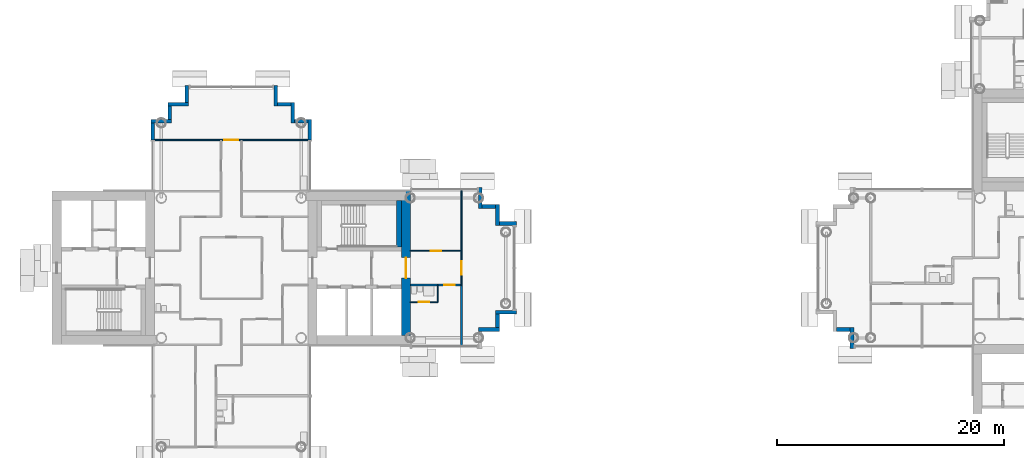
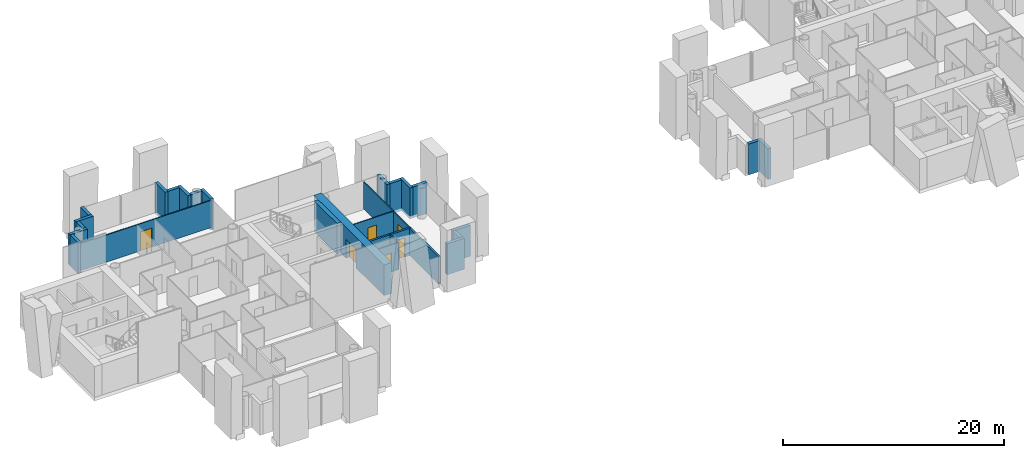
# One storey, part 8 of 18: 28 walls, 6 doors, 6 openings.
"""IFC4 building model written with IfcOpenShell, lengths in metres."""

from ifc_helpers import new_model, si_unit, direction, frame, frame_2d, origin, place, context, subcontext, project, spatial, rectangle, extrude, material, layer, layer_set, type_object, element, fill, save


model = new_model("IFC4")

# Units and contexts
model_context = context("Model", 3, precision=1e-05, world=origin(), true_north=direction((0.0, 1.0)))
body_context = subcontext(model_context, "Body", "Model", "MODEL_VIEW")
ifc_project = project(units=[si_unit("LENGTHUNIT", "METRE"), si_unit("AREAUNIT", "SQUARE_METRE"), si_unit("VOLUMEUNIT", "CUBIC_METRE"), si_unit("PLANEANGLEUNIT", "RADIAN"), si_unit("MASSUNIT", "GRAM", prefix="KILO")], contexts=[model_context])

# Site, building, storey
site_placement = place(None, origin())
site = spatial("IfcSite", under=ifc_project, at=site_placement, CompositionType="ELEMENT")
building_placement = place(site_placement, origin())
building = spatial("IfcBuilding", under=site, at=building_placement, Name="Ipe Terrace Towers", CompositionType="ELEMENT")
storey_placement = place(building_placement, frame((0.0, 0.0, 150.699951171875)))
storey = spatial("IfcBuildingStorey", under=building, at=storey_placement, Name="L41", CompositionType="ELEMENT", Elevation=150.699951171875)

# Walls
ifc_material_1 = material(Name="Concrete C40/50 with buff precast cladding", Category="concrete")
ifc_layer_1 = layer(ifc_material_1, 0.320068359375)
ifc_layer_set_1 = layer_set([ifc_layer_1], Name="BUFF CLADDING WALL 320")
wall_type_1 = type_object("IfcWallType", Name="BUFF CLADDING WALL 320", PredefinedType="STANDARD", material=ifc_layer_set_1)
wall_1_placement = place(storey_placement, frame((-14.25, -5.409912109375, -0.300048828125), z_axis=(0.0, 0.0, 1.0), x_axis=(1.0, 0.0, 0.0)))
element("IfcWall", 1, at=wall_1_placement, inside=storey, type_object=wall_type_1, Name="T1-W-L41-18a wall", PredefinedType="STANDARD", context=body_context, shape_type="SweptSolid", body=[
    extrude(rectangle(XDim=1.820068359375, YDim=0.320068359375, at=frame_2d((0.91015625, 0.0))), origin(), (0.0, 0.0, 1.0), 3.400146484375),
])
wall_2_placement = place(storey_placement, frame((-12.590087890625, -5.25, -0.300048828125), z_axis=(0.0, 0.0, 1.0), x_axis=(0.0, 1.0, 0.0)))
element("IfcWall", 2, at=wall_2_placement, inside=storey, type_object=wall_type_1, Name="T1-W-L41-19a wall", PredefinedType="STANDARD", context=body_context, shape_type="SweptSolid", body=[
    extrude(rectangle(XDim=1.179931640625, YDim=0.320068359375, at=frame_2d((0.58984375, 0.0))), origin(), (0.0, 0.0, 1.0), 3.400146484375),
])
wall_3_placement = place(storey_placement, frame((-12.75, -3.909912109375, -0.300048828125), z_axis=(0.0, 0.0, 1.0), x_axis=(1.0, 0.0, 0.0)))
element("IfcWall", 3, at=wall_3_placement, inside=storey, type_object=wall_type_1, Name="T1-W-L41-20a wall", PredefinedType="STANDARD", context=body_context, shape_type="SweptSolid", body=[
    extrude(rectangle(XDim=1.820068359375, YDim=0.320068359375, at=frame_2d((0.91015625, 0.0))), origin(), (0.0, 0.0, 1.0), 3.400146484375),
])
wall_4_placement = place(storey_placement, frame((-10.929931640625, 3.909912109375, -0.300048828125), z_axis=(0.0, 0.0, 1.0), x_axis=(-1.0, 0.0, 0.0)))
element("IfcWall", 4, at=wall_4_placement, inside=storey, type_object=wall_type_1, Name="T1-W-L41-22a wall", PredefinedType="STANDARD", context=body_context, shape_type="SweptSolid", body=[
    extrude(rectangle(XDim=1.5, YDim=0.320068359375, at=frame_2d((0.75, 0.0))), origin(), (0.0, 0.0, 1.0), 3.400146484375),
])
wall_5_placement = place(storey_placement, frame((-12.590087890625, 3.75, -0.300048828125), z_axis=(0.0, 0.0, 1.0), x_axis=(0.0, 1.0, 0.0)))
element("IfcWall", 5, at=wall_5_placement, inside=storey, type_object=wall_type_1, Name="T1-W-L41-23a wall", PredefinedType="STANDARD", context=body_context, shape_type="SweptSolid", body=[
    extrude(rectangle(XDim=1.820068359375, YDim=0.320068359375, at=frame_2d((0.91015625, 0.0))), origin(), (0.0, 0.0, 1.0), 3.400146484375),
])
wall_6_placement = place(storey_placement, frame((-12.75, 5.409912109375, -0.300048828125), z_axis=(0.0, 0.0, 1.0), x_axis=(-1.0, 0.0, 0.0)))
element("IfcWall", 6, at=wall_6_placement, inside=storey, type_object=wall_type_1, Name="T1-W-L41-24a wall", PredefinedType="STANDARD", context=body_context, shape_type="SweptSolid", body=[
    extrude(rectangle(XDim=1.179931640625, YDim=0.320068359375, at=frame_2d((0.58984375, 0.0))), origin(), (0.0, 0.0, 1.0), 3.400146484375),
])
for number, where, z_axis, x_axis, name in (
    (7, (-14.090087890625, 5.25, -0.300048828125), (0.0, 0.0, 1.0), (0.0, 1.0, 0.0), "T1-W-L41-25a wall"),
    (8, (-29.090087890625, 11.25, -0.300048828125), (0.0, 0.0, 1.0), (0.0, 1.0, 0.0), "T1-W-L41-29a wall"),
):
    element("IfcWall", number, at=place(storey_placement, frame(where, z_axis=z_axis, x_axis=x_axis)), inside=storey, type_object=wall_type_1, Name=name, PredefinedType="STANDARD", context=body_context, shape_type="SweptSolid", body=[
        extrude(rectangle(XDim=1.820068359375, YDim=0.320068359375, at=frame_2d((0.91015625, 0.0))), origin(), (0.0, 0.0, 1.0), 3.400146484375),
    ])
wall_7_placement = place(storey_placement, frame((-29.25, 12.909912109375, -0.300048828125), z_axis=(0.0, 0.0, 1.0), x_axis=(-1.0, 0.0, 0.0)))
element("IfcWall", 9, at=wall_7_placement, inside=storey, type_object=wall_type_1, Name="T1-W-L41-30a wall", PredefinedType="STANDARD", context=body_context, shape_type="SweptSolid", body=[
    extrude(rectangle(XDim=1.179931640625, YDim=0.320068359375, at=frame_2d((0.58984375, 0.0))), origin(), (0.0, 0.0, 1.0), 3.400146484375),
])
wall_8_placement = place(storey_placement, frame((-30.590087890625, 12.75, -0.300048828125), z_axis=(0.0, 0.0, 1.0), x_axis=(0.0, 1.0, 0.0)))
element("IfcWall", 10, at=wall_8_placement, inside=storey, type_object=wall_type_1, Name="T1-W-L41-31a wall", PredefinedType="STANDARD", context=body_context, shape_type="SweptSolid", body=[
    extrude(rectangle(XDim=1.820068359375, YDim=0.320068359375, at=frame_2d((0.91015625, 0.0))), origin(), (0.0, 0.0, 1.0), 3.400146484375),
])
wall_9_placement = place(storey_placement, frame((-30.75, 14.409912109375, -0.300048828125), z_axis=(0.0, 0.0, 1.0), x_axis=(-1.0, 0.0, 0.0)))
element("IfcWall", 11, at=wall_9_placement, inside=storey, type_object=wall_type_1, Name="T1-W-L41-32a wall", PredefinedType="STANDARD", context=body_context, shape_type="SweptSolid", body=[
    extrude(rectangle(XDim=1.179931640625, YDim=0.320068359375, at=frame_2d((0.58984375, 0.0))), origin(), (0.0, 0.0, 1.0), 3.400146484375),
])
wall_10_placement = place(storey_placement, frame((-32.090087890625, 14.25, -0.300048828125), z_axis=(0.0, 0.0, 1.0), x_axis=(0.0, 1.0, 0.0)))
element("IfcWall", 12, at=wall_10_placement, inside=storey, type_object=wall_type_1, Name="T1-W-L41-33a wall", PredefinedType="STANDARD", context=body_context, shape_type="SweptSolid", body=[
    extrude(rectangle(XDim=1.820068359375, YDim=0.320068359375, at=frame_2d((0.91015625, 0.0))), origin(), (0.0, 0.0, 1.0), 3.400146484375),
])
wall_11_placement = place(storey_placement, frame((-39.909912109375, 16.070068359375, -0.300048828125), z_axis=(0.0, 0.0, 1.0), x_axis=(0.0, -1.0, 0.0)))
element("IfcWall", 13, at=wall_11_placement, inside=storey, type_object=wall_type_1, Name="T1-W-L41-35a wall", PredefinedType="STANDARD", context=body_context, shape_type="SweptSolid", body=[
    extrude(rectangle(XDim=1.5, YDim=0.320068359375, at=frame_2d((0.75, 0.0))), origin(), (0.0, 0.0, 1.0), 3.400146484375),
])
wall_12_placement = place(storey_placement, frame((-39.75, 14.409912109375, -0.300048828125), z_axis=(0.0, 0.0, 1.0), x_axis=(-1.0, 0.0, 0.0)))
element("IfcWall", 14, at=wall_12_placement, inside=storey, type_object=wall_type_1, Name="T1-W-L41-36a wall", PredefinedType="STANDARD", context=body_context, shape_type="SweptSolid", body=[
    extrude(rectangle(XDim=1.820068359375, YDim=0.320068359375, at=frame_2d((0.91015625, 0.0))), origin(), (0.0, 0.0, 1.0), 3.400146484375),
])
wall_13_placement = place(storey_placement, frame((-41.409912109375, 14.25, -0.300048828125), z_axis=(0.0, 0.0, 1.0), x_axis=(0.0, -1.0, 0.0)))
element("IfcWall", 15, at=wall_13_placement, inside=storey, type_object=wall_type_1, Name="T1-W-L41-37a wall", PredefinedType="STANDARD", context=body_context, shape_type="SweptSolid", body=[
    extrude(rectangle(XDim=1.179931640625, YDim=0.320068359375, at=frame_2d((0.58984375, 0.0))), origin(), (0.0, 0.0, 1.0), 3.400146484375),
])
wall_14_placement = place(storey_placement, frame((-41.25, 12.909912109375, -0.300048828125), z_axis=(0.0, 0.0, 1.0), x_axis=(-1.0, 0.0, 0.0)))
element("IfcWall", 16, at=wall_14_placement, inside=storey, type_object=wall_type_1, Name="T1-W-L41-38a wall", PredefinedType="STANDARD", context=body_context, shape_type="SweptSolid", body=[
    extrude(rectangle(XDim=1.820068359375, YDim=0.320068359375, at=frame_2d((0.91015625, 0.0))), origin(), (0.0, 0.0, 1.0), 3.400146484375),
])
wall_15_placement = place(storey_placement, frame((-42.909912109375, 12.75, -0.300048828125), z_axis=(0.0, 0.0, 1.0), x_axis=(0.0, -1.0, 0.0)))
element("IfcWall", 17, at=wall_15_placement, inside=storey, type_object=wall_type_1, Name="T1-W-L41-39a wall", PredefinedType="STANDARD", context=body_context, shape_type="SweptSolid", body=[
    extrude(rectangle(XDim=1.5, YDim=0.320068359375, at=frame_2d((0.75, 0.0))), origin(), (0.0, 0.0, 1.0), 3.400146484375),
])
wall_16_placement = place(storey_placement, frame((17.25, -5.409912109375, -0.300048828125), z_axis=(0.0, 0.0, 1.0), x_axis=(1.0, 0.0, 0.0)))
element("IfcWall", 18, at=wall_16_placement, inside=storey, type_object=wall_type_1, Name="T2-W-L41-37a wall", PredefinedType="STANDARD", context=body_context, shape_type="SweptSolid", body=[
    extrude(rectangle(XDim=1.179931640625, YDim=0.320068359375, at=frame_2d((0.58984375, 0.0))), origin(), (0.0, 0.0, 1.0), 3.400146484375),
])
wall_17_placement = place(storey_placement, frame((18.590087890625, -5.25, -0.300048828125), z_axis=(0.0, 0.0, 1.0), x_axis=(0.0, -1.0, 0.0)))
element("IfcWall", 19, at=wall_17_placement, inside=storey, type_object=wall_type_1, Name="T2-W-L41-38a wall", PredefinedType="STANDARD", context=body_context, shape_type="SweptSolid", body=[
    extrude(rectangle(XDim=1.820068359375, YDim=0.320068359375, at=frame_2d((0.91015625, 0.0))), origin(), (0.0, 0.0, 1.0), 3.400146484375),
])
ifc_material_2 = material(Name="Gypsum board partition", Category="plasterboard")
ifc_layer_2 = layer(ifc_material_2, 0.10009765625)
ifc_layer_set_2 = layer_set([ifc_layer_2], Name="Gypsum board partition 100 mm")
wall_type_2 = type_object("IfcWallType", Name="Gypsum board partition 100 mm", PredefinedType="PARTITIONING", material=ifc_layer_set_2)
wall_18_placement = place(storey_placement, frame((-17.85009765625, -3.0, 0.0), z_axis=(0.0, 0.0, 1.0), x_axis=(0.0, 1.0, 0.0)))
element("IfcWall", 20, at=wall_18_placement, inside=storey, type_object=wall_type_2, Name="Gypsum board partition T1 L41 W15", PredefinedType="PARTITIONING", context=body_context, shape_type="SweptSolid", body=[
    extrude(rectangle(XDim=1.5, YDim=0.10009765625, at=frame_2d((0.75, 0.0))), origin(), (0.0, 0.0, 1.0), 3.0),
])

# Wall, opening, door
wall_19_placement = place(storey_placement, frame((-15.75, -1.5, 0.0), z_axis=(0.0, 0.0, 1.0), x_axis=(0.0, 1.0, 0.0)))
wall_19 = element("IfcWall", 21, at=wall_19_placement, inside=storey, type_object=wall_type_2, Name="Gypsum board partition T1 L41 W16", PredefinedType="PARTITIONING", context=body_context, shape_type="SweptSolid", body=[
    extrude(rectangle(XDim=8.35009765625, YDim=0.10009765625, at=frame_2d((4.175048828125, 0.0))), origin(), (0.0, 0.0, 1.0), 3.0),
])
opening_1_placement = place(wall_19_placement, frame((0.89990234375, 0.0, 0.0)))
opening_1 = element("IfcOpeningElement", 22, at=opening_1_placement, cuts=wall_19, Name="Opening T1-Z3B-21", PredefinedType="OPENING", context=body_context, shape_type="SweptSolid", body=[
    extrude(rectangle(XDim=1.199951171875, YDim=2.10009765625, at=frame_2d((0.60009765625, 1.050048828125))), frame((0.0, 0.06005859375, 0.0), z_axis=(0.0, -1.0, 0.0), x_axis=(1.0, 0.0, 0.0)), (0.0, 0.0, 1.0), 0.1201171875),
])
ifc_material_3 = material(Name="Timber door leaf", Category="wood")
door_type_1 = type_object("IfcDoorType", Name="Lounge door 1200 x 2100", OperationType="NOTDEFINED", PredefinedType="DOOR", material=ifc_material_3)
door_1_placement = place(opening_1_placement, origin())
door_1 = element("IfcDoor", 23, at=door_1_placement, inside=storey, type_object=door_type_1, Name="Lounge door T1-Z3B-21", OperationType="SINGLE_SWING_LEFT", OverallHeight=2.10009765625, OverallWidth=1.199951171875, PredefinedType="DOOR", context=body_context, shape_type="SweptSolid", body=[
    extrude(rectangle(XDim=1.199951171875, YDim=2.10009765625, at=frame_2d((0.60009765625, 1.050048828125))), frame((0.0, 0.02490234375, 0.0), z_axis=(0.0, -1.0, 0.0), x_axis=(1.0, 0.0, 0.0)), (0.0, 0.0, 1.0), 0.050048828125),
])
fill(opening_1, door_1)

wall_20_placement = place(storey_placement, frame((-20.25, -3.0, 0.0), z_axis=(0.0, 0.0, 1.0), x_axis=(1.0, 0.0, 0.0)))
wall_20 = element("IfcWall", 24, at=wall_20_placement, inside=storey, type_object=wall_type_2, Name="Gypsum board partition T1 L41 W28", PredefinedType="PARTITIONING", context=body_context, shape_type="SweptSolid", body=[
    extrude(rectangle(XDim=2.39990234375, YDim=0.10009765625, at=frame_2d((1.199951171875, 0.0))), origin(), (0.0, 0.0, 1.0), 3.0),
])
opening_2_placement = place(wall_20_placement, frame((0.75, 0.0, 0.0)))
opening_2 = element("IfcOpeningElement", 25, at=opening_2_placement, cuts=wall_20, Name="Opening T1-Z3B-20", PredefinedType="OPENING", context=body_context, shape_type="SweptSolid", body=[
    extrude(rectangle(XDim=0.89990234375, YDim=2.10009765625, at=frame_2d((0.449951171875, 1.050048828125))), frame((0.0, 0.06005859375, 0.0), z_axis=(0.0, -1.0, 0.0), x_axis=(1.0, 0.0, 0.0)), (0.0, 0.0, 1.0), 0.1201171875),
])
ifc_material_4 = material(Name="Timber door leaf", Category="wood")
door_type_2 = type_object("IfcDoorType", Name="Bathroom door 900 x 2100", OperationType="NOTDEFINED", PredefinedType="DOOR", material=ifc_material_4)
door_2_placement = place(opening_2_placement, origin())
door_2 = element("IfcDoor", 26, at=door_2_placement, inside=storey, type_object=door_type_2, Name="Bathroom door T1-Z3B-20", OperationType="SINGLE_SWING_LEFT", OverallHeight=2.10009765625, OverallWidth=0.89990234375, PredefinedType="DOOR", context=body_context, shape_type="SweptSolid", body=[
    extrude(rectangle(XDim=0.89990234375, YDim=2.10009765625, at=frame_2d((0.449951171875, 1.050048828125))), frame((0.0, 0.02490234375, 0.0), z_axis=(0.0, -1.0, 0.0), x_axis=(1.0, 0.0, 0.0)), (0.0, 0.0, 1.0), 0.050048828125),
])
fill(opening_2, door_2)

wall_21_placement = place(storey_placement, frame((-20.25, 1.5, 0.0), z_axis=(0.0, 0.0, 1.0), x_axis=(1.0, 0.0, 0.0)))
wall_21 = element("IfcWall", 27, at=wall_21_placement, inside=storey, type_object=wall_type_2, Name="Gypsum board partition T1 L41 W35", PredefinedType="PARTITIONING", context=body_context, shape_type="SweptSolid", body=[
    extrude(rectangle(XDim=4.5, YDim=0.10009765625, at=frame_2d((2.25, 0.0))), origin(), (0.0, 0.0, 1.0), 3.0),
])
opening_3_placement = place(wall_21_placement, frame((1.800048828125, 0.0, 0.0)))
opening_3 = element("IfcOpeningElement", 28, at=opening_3_placement, cuts=wall_21, Name="Opening T1-Z3B-18", PredefinedType="OPENING", context=body_context, shape_type="SweptSolid", body=[
    extrude(rectangle(XDim=0.89990234375, YDim=2.10009765625, at=frame_2d((0.449951171875, 1.050048828125))), frame((0.0, 0.06005859375, 0.0), z_axis=(0.0, -1.0, 0.0), x_axis=(1.0, 0.0, 0.0)), (0.0, 0.0, 1.0), 0.1201171875),
])
ifc_material_5 = material(Name="Timber door leaf", Category="wood")
door_type_3 = type_object("IfcDoorType", Name="Lounge door 900 x 2100", OperationType="NOTDEFINED", PredefinedType="DOOR", material=ifc_material_5)
door_3_placement = place(opening_3_placement, origin())
door_3 = element("IfcDoor", 29, at=door_3_placement, inside=storey, type_object=door_type_3, Name="Lounge door T1-Z3B-18", OperationType="SINGLE_SWING_LEFT", OverallHeight=2.10009765625, OverallWidth=0.89990234375, PredefinedType="DOOR", context=body_context, shape_type="SweptSolid", body=[
    extrude(rectangle(XDim=0.89990234375, YDim=2.10009765625, at=frame_2d((0.449951171875, 1.050048828125))), frame((0.0, 0.02490234375, 0.0), z_axis=(0.0, -1.0, 0.0), x_axis=(1.0, 0.0, 0.0)), (0.0, 0.0, 1.0), 0.050048828125),
])
fill(opening_3, door_3)

wall_22_placement = place(storey_placement, frame((-42.85009765625, 11.25, 0.0), z_axis=(0.0, 0.0, 1.0), x_axis=(1.0, 0.0, 0.0)))
wall_22 = element("IfcWall", 30, at=wall_22_placement, inside=storey, type_object=wall_type_2, Name="Gypsum board partition T1 L41 W41", PredefinedType="PARTITIONING", context=body_context, shape_type="SweptSolid", body=[
    extrude(rectangle(XDim=13.7001953125, YDim=0.10009765625, at=frame_2d((6.85009765625, 0.0))), origin(), (0.0, 0.0, 1.0), 3.0),
])
opening_4_placement = place(wall_22_placement, frame((6.25, 0.0, 0.0)))
opening_4 = element("IfcOpeningElement", 31, at=opening_4_placement, cuts=wall_22, Name="Opening T1-Z3B-12", PredefinedType="OPENING", context=body_context, shape_type="SweptSolid", body=[
    extrude(rectangle(XDim=1.199951171875, YDim=2.10009765625, at=frame_2d((0.60009765625, 1.050048828125))), frame((0.0, 0.06005859375, 0.0), z_axis=(0.0, -1.0, 0.0), x_axis=(1.0, 0.0, 0.0)), (0.0, 0.0, 1.0), 0.1201171875),
])
door_4_placement = place(opening_4_placement, origin())
door_4 = element("IfcDoor", 32, at=door_4_placement, inside=storey, type_object=door_type_1, Name="Lounge door T1-Z3B-12", OperationType="SINGLE_SWING_LEFT", OverallHeight=2.10009765625, OverallWidth=1.199951171875, PredefinedType="DOOR", context=body_context, shape_type="SweptSolid", body=[
    extrude(rectangle(XDim=1.199951171875, YDim=2.10009765625, at=frame_2d((0.60009765625, 1.050048828125))), frame((0.0, 0.02490234375, 0.0), z_axis=(0.0, -1.0, 0.0), x_axis=(1.0, 0.0, 0.0)), (0.0, 0.0, 1.0), 0.050048828125),
])
fill(opening_4, door_4)

# Wall
ifc_material_6 = material(Name="Gypsum board party wall", Category="plasterboard")
ifc_layer_3 = layer(ifc_material_6, 0.199951171875)
ifc_layer_set_3 = layer_set([ifc_layer_3], Name="Gypsum board party wall 200 mm")
wall_type_3 = type_object("IfcWallType", Name="Gypsum board party wall 200 mm", PredefinedType="SOLIDWALL", material=ifc_layer_set_3)
wall_23_placement = place(storey_placement, frame((-15.75, -6.85009765625, 0.0), z_axis=(0.0, 0.0, 1.0), x_axis=(0.0, 1.0, 0.0)))
element("IfcWall", 33, at=wall_23_placement, inside=storey, type_object=wall_type_3, Name="Gypsum board party wall T1 L41 W17", PredefinedType="SOLIDWALL", context=body_context, shape_type="SweptSolid", body=[
    extrude(rectangle(XDim=5.35009765625, YDim=0.199951171875, at=frame_2d((2.675048828125, 0.0))), origin(), (0.0, 0.0, 1.0), 3.0),
])

# Wall, opening, door
wall_24_placement = place(storey_placement, frame((-20.25, -1.5, 0.0), z_axis=(0.0, 0.0, 1.0), x_axis=(1.0, 0.0, 0.0)))
wall_24 = element("IfcWall", 34, at=wall_24_placement, inside=storey, type_object=wall_type_3, Name="Gypsum board party wall T1 L41 W32", PredefinedType="SOLIDWALL", context=body_context, shape_type="SweptSolid", body=[
    extrude(rectangle(XDim=4.5, YDim=0.199951171875, at=frame_2d((2.25, 0.0))), origin(), (0.0, 0.0, 1.0), 3.0),
])
opening_5_placement = place(wall_24_placement, frame((3.0, 0.0, 0.0)))
opening_5 = element("IfcOpeningElement", 35, at=opening_5_placement, cuts=wall_24, Name="Opening T1-Z3B-19", PredefinedType="OPENING", context=body_context, shape_type="SweptSolid", body=[
    extrude(rectangle(XDim=0.89990234375, YDim=2.10009765625, at=frame_2d((0.449951171875, 1.050048828125))), frame((0.0, 0.10986328125, 0.0), z_axis=(0.0, -1.0, 0.0), x_axis=(1.0, 0.0, 0.0)), (0.0, 0.0, 1.0), 0.219970703125),
])
ifc_material_7 = material(Name="Fire-rated timber door leaf", Category="wood")
door_type_4 = type_object("IfcDoorType", Name="Flat entrance door 900 x 2100 FD30S", OperationType="NOTDEFINED", PredefinedType="DOOR", material=ifc_material_7)
door_5_placement = place(opening_5_placement, origin())
door_5 = element("IfcDoor", 36, at=door_5_placement, inside=storey, type_object=door_type_4, Name="Flat entrance door T1-Z3B-19", OperationType="SINGLE_SWING_RIGHT", OverallHeight=2.10009765625, OverallWidth=0.89990234375, PredefinedType="DOOR", context=body_context, shape_type="SweptSolid", body=[
    extrude(rectangle(XDim=0.89990234375, YDim=2.10009765625, at=frame_2d((0.449951171875, 1.050048828125))), frame((0.0, 0.02490234375, 0.0), z_axis=(0.0, -1.0, 0.0), x_axis=(1.0, 0.0, 0.0)), (0.0, 0.0, 1.0), 0.050048828125),
])
fill(opening_5, door_5)

# Wall
ifc_material_8 = material(Name="Concrete C50/60", Category="concrete")
ifc_layer_4 = layer(ifc_material_8, 0.39990234375)
ifc_layer_set_4 = layer_set([ifc_layer_4], Name="RW400 CORE INFILL WALL 400 C50-60")
wall_type_4 = type_object("IfcWallType", Name="RW400 CORE INFILL WALL 400 C50-60", PredefinedType="SHEAR", material=ifc_layer_set_4)
wall_25_placement = place(storey_placement, frame((-21.25, 1.85009765625, 0.0), z_axis=(0.0, 0.0, 1.0), x_axis=(0.0, 1.0, 0.0)))
element("IfcWall", 37, at=wall_25_placement, inside=storey, type_object=wall_type_4, Name="Core infill wall T1-C1-far", PredefinedType="SHEAR", context=body_context, shape_type="SweptSolid", body=[
    extrude(rectangle(XDim=4.099853515625, YDim=0.39990234375, at=frame_2d((2.0498046875, 0.0))), origin(), (0.0, 0.0, 1.0), 3.400146484375),
])

# Wall, opening, door
ifc_material_9 = material(Name="Concrete C50/60", Category="concrete")
ifc_layer_5 = layer(ifc_material_9, 0.800048828125)
ifc_layer_set_5 = layer_set([ifc_layer_5], Name="RW800 CORE WALL 800 C50-60")
wall_type_5 = type_object("IfcWallType", Name="RW800 CORE WALL 800 C50-60", PredefinedType="SHEAR", material=ifc_layer_set_5)
wall_26_placement = place(storey_placement, frame((-20.64990234375, -5.949951171875, 0.0), z_axis=(0.0, 0.0, 1.0), x_axis=(0.0, 1.0, 0.0)))
wall_26 = element("IfcWall", 38, at=wall_26_placement, inside=storey, type_object=wall_type_5, Name="Core wall T1-C1-Z3-W02", PredefinedType="SHEAR", context=body_context, shape_type="SweptSolid", body=[
    extrude(rectangle(XDim=12.699951171875, YDim=0.800048828125, at=frame_2d((6.35009765625, 0.0))), origin(), (0.0, 0.0, 1.0), 3.400146484375),
])
opening_6_placement = place(wall_26_placement, frame((5.050048828125, 0.0, 0.0)))
opening_6 = element("IfcOpeningElement", 39, at=opening_6_placement, cuts=wall_26, Name="Opening T1C1-FD", PredefinedType="OPENING", context=body_context, shape_type="SweptSolid", body=[
    extrude(rectangle(XDim=1.800048828125, YDim=2.10009765625, at=frame_2d((0.89990234375, 1.050048828125))), frame((0.0, 0.41015625, 0.0), z_axis=(0.0, -1.0, 0.0), x_axis=(1.0, 0.0, 0.0)), (0.0, 0.0, 1.0), 0.820068359375),
])
ifc_material_10 = material(Name="Fire-rated timber door leaf", Category="wood")
door_type_5 = type_object("IfcDoorType", Name="Fire door 1800 x 2100 FD30S", OperationType="NOTDEFINED", PredefinedType="DOOR", material=ifc_material_10)
door_6_placement = place(opening_6_placement, origin())
door_6 = element("IfcDoor", 40, at=door_6_placement, inside=storey, type_object=door_type_5, Name="Fire door T1C1-FD", OperationType="SINGLE_SWING_LEFT", OverallHeight=2.10009765625, OverallWidth=1.800048828125, PredefinedType="DOOR", context=body_context, shape_type="SweptSolid", body=[
    extrude(rectangle(XDim=1.800048828125, YDim=2.10009765625, at=frame_2d((0.89990234375, 1.050048828125))), frame((0.0, 0.02490234375, 0.0), z_axis=(0.0, -1.0, 0.0), x_axis=(1.0, 0.0, 0.0)), (0.0, 0.0, 1.0), 0.050048828125),
])
fill(opening_6, door_6)

save(model, "model.ifc")
